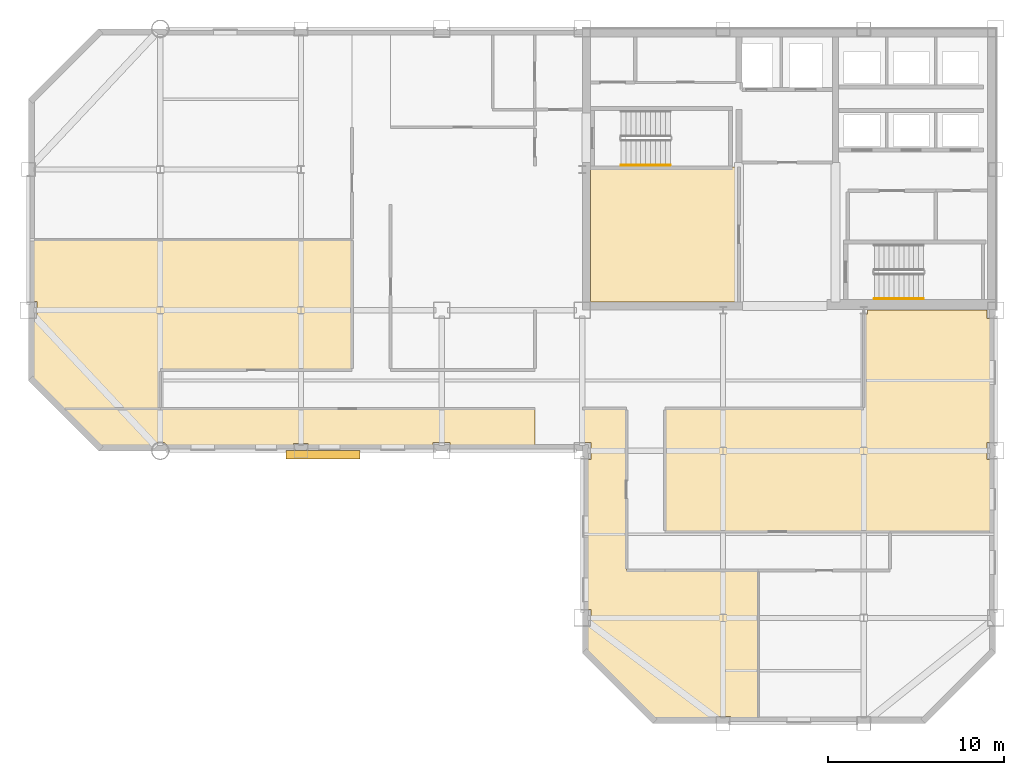
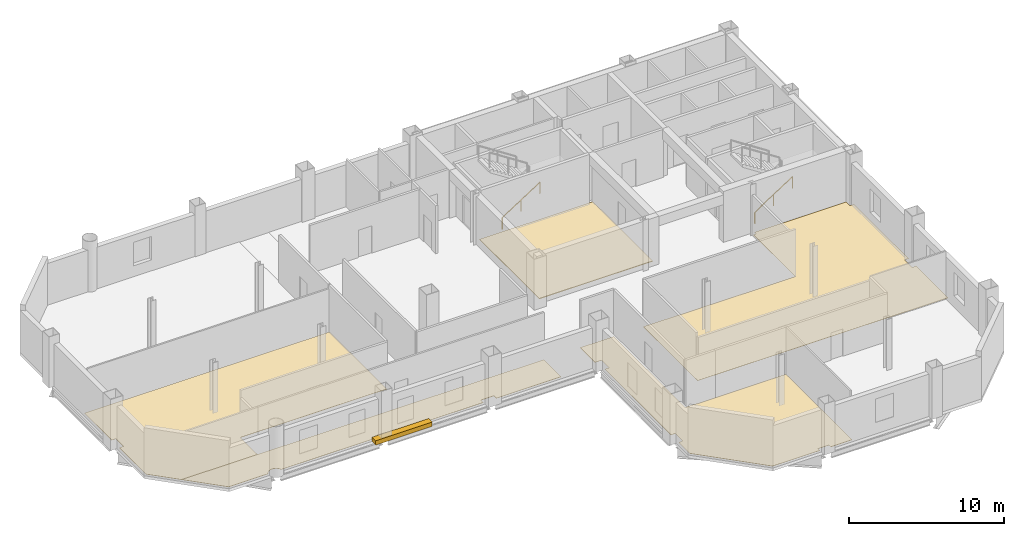
# One storey, part 7 of 10: 5 coverings, 2 railings, 1 shading device.
"""IFC4 building model written with IfcOpenShell, lengths in metres."""

from ifc_helpers import new_model, si_unit, direction, frame, origin, origin_2d, place, context, subcontext, project, spatial, polyline, rectangle, circle, outline, extrude, material, layer, layer_set, type_object, element, save


model = new_model("IFC4")

# Units and contexts
model_context = context("Model", 3, precision=1e-05, world=origin(), true_north=direction((0.0, 1.0)))
body_context = subcontext(model_context, "Body", "Model", "MODEL_VIEW")
ifc_project = project(units=[si_unit("LENGTHUNIT", "METRE"), si_unit("AREAUNIT", "SQUARE_METRE"), si_unit("VOLUMEUNIT", "CUBIC_METRE"), si_unit("PLANEANGLEUNIT", "RADIAN"), si_unit("MASSUNIT", "GRAM", prefix="KILO")], contexts=[model_context])

# Site, building, storey
site_placement = place(None, origin())
site = spatial("IfcSite", under=ifc_project, at=site_placement, CompositionType="ELEMENT")
building_placement = place(site_placement, origin())
building = spatial("IfcBuilding", under=site, at=building_placement, Name="Qianrong Seaharbour Tower", CompositionType="ELEMENT")
storey_placement = place(building_placement, frame((0.0, 0.0, 229.800048828125)))
storey = spatial("IfcBuildingStorey", under=building, at=storey_placement, Name="L55", CompositionType="ELEMENT", Elevation=229.800048828125)

# Coverings
ifc_material_1 = material(Name="Acoustic modular carpet tile flooring")
ifc_layer_1 = layer(ifc_material_1, 0.02001953125)
ifc_layer_set_1 = layer_set([ifc_layer_1], Name="Acoustic modular carpet tile flooring")
covering_type_1 = type_object("IfcCoveringType", Name="COV-FLOOR-CARPET-20", PredefinedType="FLOORING", material=ifc_layer_set_1)
covering_1_placement = place(storey_placement, origin())
element("IfcCovering", 1, at=covering_1_placement, inside=storey, type_object=covering_type_1, Name="L55 Project Library Finish Flooring", PredefinedType="FLOORING", context=body_context, shape_type="SweptSolid", body=[
    extrude(outline(polyline([(16.5, 32.60009765625), (16.5, 30.39990234375), (10.847412109375, 30.39990234375), (9.175048828125, 32.072509765625), (9.175048828125, 35.514892578125), (9.485107421875, 35.514892578125), (9.485107421875, 36.485107421875), (9.175048828125, 36.485107421875), (9.175048828125, 40.0), (27.39990234375, 40.0), (27.39990234375, 32.60009765625), (16.5, 32.60009765625)])), origin(), (0.0, 0.0, 1.0), 0.02001953125),
])
covering_2_placement = place(storey_placement, origin())
element("IfcCovering", 2, at=covering_2_placement, inside=storey, type_object=covering_type_1, Name="L55 Staff Club Assembly Hall Finish Flooring", PredefinedType="FLOORING", context=body_context, shape_type="SweptSolid", body=[
    extrude(outline(polyline([(56.5, 30.39990234375), (56.5, 35.7900390625), (56.7099609375, 35.7900390625), (56.7099609375, 36.0), (63.514892578125, 36.0), (63.514892578125, 35.514892578125), (63.824951171875, 35.514892578125), (63.824951171875, 28.485107421875), (63.514892578125, 28.485107421875), (63.514892578125, 27.514892578125), (63.824951171875, 27.514892578125), (63.824951171875, 23.39990234375), (45.199951171875, 23.39990234375), (45.199951171875, 30.39990234375), (56.5, 30.39990234375)])), origin(), (0.0, 0.0, 1.0), 0.02001953125),
])
covering_3_placement = place(storey_placement, origin())
element("IfcCovering", 3, at=covering_3_placement, inside=storey, type_object=covering_type_1, Name="L55 Wet Pantry Finish Flooring", PredefinedType="FLOORING", context=body_context, shape_type="SweptSolid", body=[
    extrude(outline(polyline([(32.985107421875, 28.175048828125), (32.985107421875, 28.485107421875), (32.014892578125, 28.485107421875), (32.014892578125, 28.175048828125), (24.909912109375, 28.175048828125), (24.909912109375, 28.409912109375), (24.090087890625, 28.409912109375), (24.090087890625, 28.175048828125), (16.977294921875, 28.175048828125), (16.97119140625, 28.1953125), (16.924072265625, 28.283203125), (16.860595703125, 28.360595703125), (16.783203125, 28.424072265625), (16.6953125, 28.47119140625), (16.599609375, 28.500244140625), (16.5, 28.510009765625), (16.400390625, 28.500244140625), (16.3046875, 28.47119140625), (16.216796875, 28.424072265625), (16.139404296875, 28.360595703125), (16.075927734375, 28.283203125), (16.02880859375, 28.1953125), (16.022705078125, 28.175048828125), (13.072509765625, 28.175048828125), (10.847412109375, 30.39990234375), (37.800048828125, 30.39990234375), (37.800048828125, 28.175048828125), (32.985107421875, 28.175048828125)])), origin(), (0.0, 0.0, 1.0), 0.02001953125),
])
covering_4_placement = place(storey_placement, origin())
element("IfcCovering", 4, at=covering_4_placement, inside=storey, type_object=covering_type_1, Name="L55 Harbour Symposium Hall 1 Finish Flooring", PredefinedType="FLOORING", context=body_context, shape_type="SweptSolid", body=[
    extrude(outline(polyline([(43.0, 21.199951171875), (50.5, 21.199951171875), (50.5, 12.675048828125), (48.909912109375, 12.675048828125), (48.909912109375, 12.909912109375), (48.090087890625, 12.909912109375), (48.090087890625, 12.675048828125), (44.572509765625, 12.675048828125), (40.675048828125, 16.572509765625), (40.675048828125, 18.014892578125), (40.985107421875, 18.014892578125), (40.985107421875, 18.985107421875), (40.675048828125, 18.985107421875), (40.675048828125, 27.514892578125), (40.985107421875, 27.514892578125), (40.985107421875, 28.485107421875), (40.5, 28.485107421875), (40.5, 30.39990234375), (43.0, 30.39990234375), (43.0, 21.199951171875)])), origin(), (0.0, 0.0, 1.0), 0.02001953125),
])
ifc_material_2 = material(Name="Calcium-sulphate raised access floor tile")
ifc_layer_2 = layer(ifc_material_2, 0.044921875)
ifc_layer_set_2 = layer_set([ifc_layer_2], Name="Calcium-sulphate raised access floor tile")
covering_type_2 = type_object("IfcCoveringType", Name="COV-FLOOR-RAISED-45", PredefinedType="FLOORING", material=ifc_layer_set_2)
covering_5_placement = place(storey_placement, origin())
element("IfcCovering", 5, at=covering_5_placement, inside=storey, type_object=covering_type_2, Name="L55 Data Systems Office Finish Flooring", PredefinedType="FLOORING", context=body_context, shape_type="SweptSolid", body=[
    extrude(outline(polyline([(49.39990234375, 44.14990234375), (49.39990234375, 36.4599609375), (40.985107421875, 36.4599609375), (40.985107421875, 36.485107421875), (40.9599609375, 36.485107421875), (40.9599609375, 44.14990234375), (49.39990234375, 44.14990234375)])), origin(), (0.0, 0.0, 1.0), 0.044921875),
])

# Railings
ifc_material_3 = material(Name="Stainless steel SUS316L continuous handrail", Category="steel")
railing_type = type_object("IfcRailingType", Name="RAIL-STAIR-HANDRAIL-900", PredefinedType="HANDRAIL", material=ifc_material_3)
railing_1_placement = place(storey_placement, frame((42.699951171875, 44.25, 0.181884765625)))
element("IfcRailing", 6, at=railing_1_placement, inside=storey, type_object=railing_type, Name="L55 ST-1 stair handrail 1", PredefinedType="HANDRAIL", context=body_context, shape_type="SweptSolid", body=[
    extrude(circle(Radius=0.02392578125, at=origin_2d()), frame((0.0, 0.0, 0.8759765625), z_axis=(0.838705829183, 0.0, 0.544584733623), x_axis=(0.0, 1.0, 0.0)), (0.0, 0.0, 1.0), 3.338623046875),
    extrude(circle(Radius=0.02099609375, at=origin_2d()), origin(), (0.0, 0.0, 1.0), 0.851806640625),
    extrude(circle(Radius=0.02099609375, at=origin_2d()), frame((1.39990234375, 0.0, 0.9091796875)), (0.0, 0.0, 1.0), 0.851806640625),
    extrude(circle(Radius=0.02099609375, at=origin_2d()), frame((2.800048828125, 0.0, 1.818115234375)), (0.0, 0.0, 1.0), 0.851806640625),
])
railing_2_placement = place(storey_placement, frame((57.10009765625, 36.64990234375, 0.181884765625)))
element("IfcRailing", 7, at=railing_2_placement, inside=storey, type_object=railing_type, Name="L55 ST-2 stair handrail 1", PredefinedType="HANDRAIL", context=body_context, shape_type="SweptSolid", body=[
    extrude(circle(Radius=0.02392578125, at=origin_2d()), frame((0.0, 0.0, 0.8759765625), z_axis=(0.83868413941, 0.0, 0.544618136222), x_axis=(0.0, 1.0, 0.0)), (0.0, 0.0, 1.0), 3.33837890625),
    extrude(circle(Radius=0.02099609375, at=origin_2d()), origin(), (0.0, 0.0, 1.0), 0.851806640625),
    extrude(circle(Radius=0.02099609375, at=origin_2d()), frame((1.39990234375, 0.0, 0.9091796875)), (0.0, 0.0, 1.0), 0.851806640625),
    extrude(circle(Radius=0.02099609375, at=origin_2d()), frame((2.7998046875, 0.0, 1.818115234375)), (0.0, 0.0, 1.0), 0.851806640625),
])

# Shading device
ifc_material_4 = material(Name="White architectural precast concrete C45/55", Category="concrete")
shading_device_type = type_object("IfcShadingDeviceType", Name="SHD-SUNSHADE-WHITE-320", PredefinedType="AWNING", material=ifc_material_4)
shading_device_placement = place(storey_placement, frame((25.75, 27.780029296875, -0.02001953125), z_axis=(0.0, 0.0, 1.0), x_axis=(1.0, 0.0, 0.0)))
element("IfcShadingDevice", 8, at=shading_device_placement, inside=storey, type_object=shading_device_type, Name="L55 Climbing White Precast Ribbon Canopy Fin", PredefinedType="AWNING", context=body_context, shape_type="SweptSolid", body=[
    extrude(rectangle(XDim=4.199951171875, YDim=0.4599609375, at=origin_2d()), origin(), (0.0, 0.0, 1.0), 0.340087890625),
])

save(model, "model.ifc")
